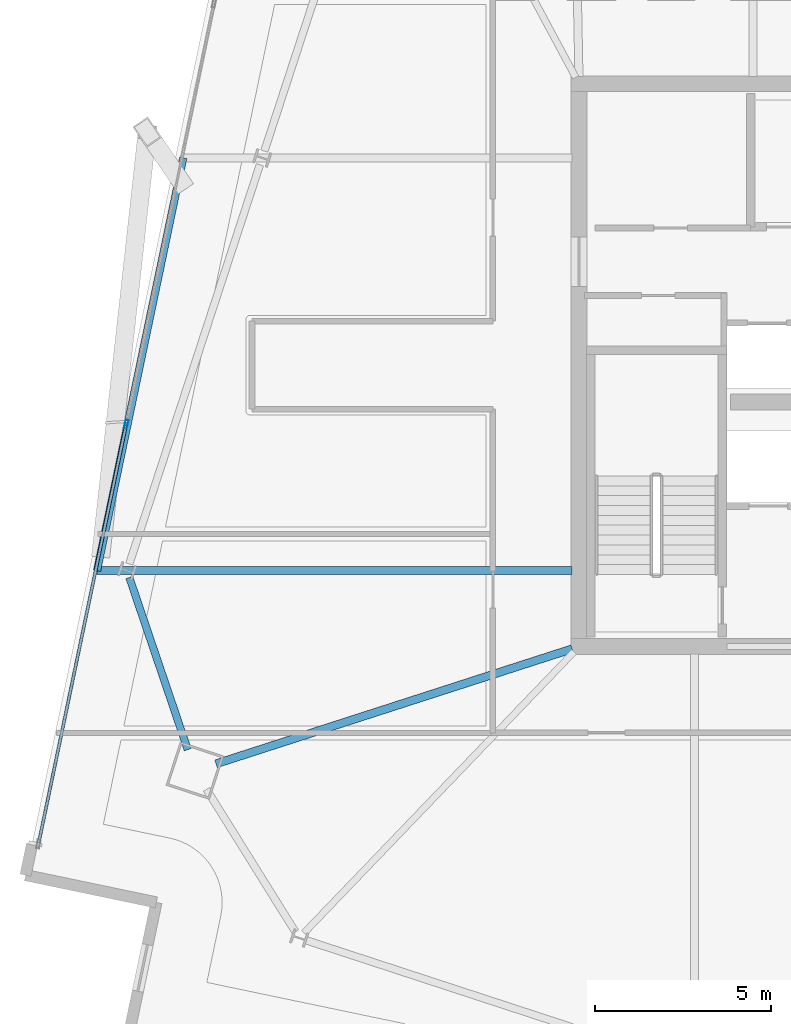
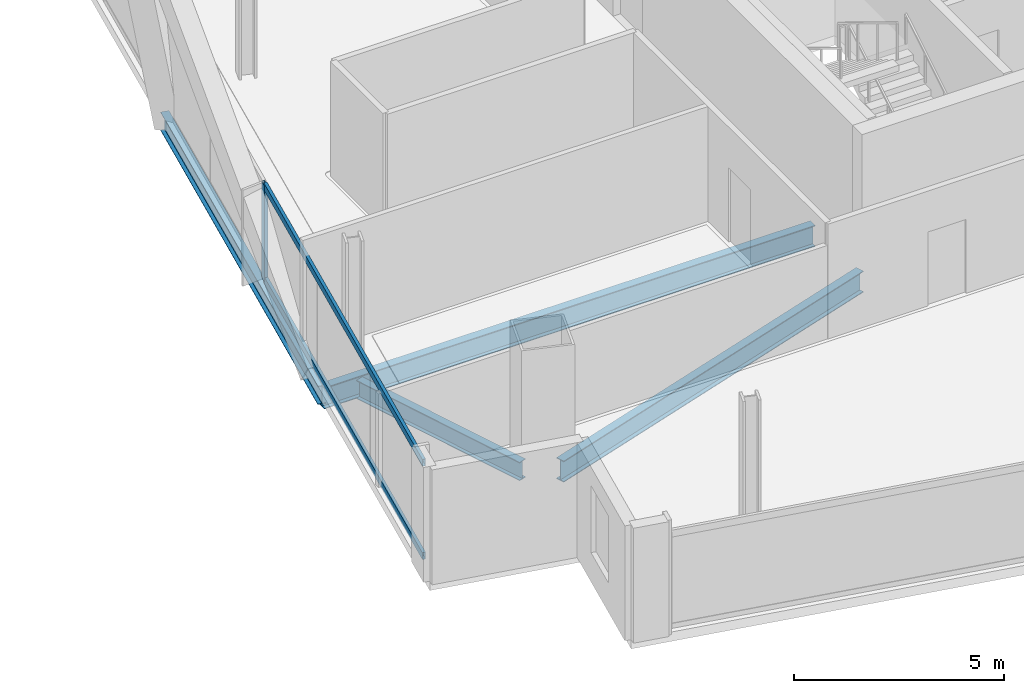
# One storey, part 4 of 24: 4 beams, 3 members, 1 element without a shape of its own.
"""IFC4 building model written with IfcOpenShell, lengths in metres."""

from ifc_helpers import new_model, si_unit, direction, frame, origin, origin_2d, place, context, subcontext, project, spatial, hollow_rectangle, i_section, extrude, material, material_profile, profile_set, type_object, element, aggregate, save


model = new_model("IFC4")

# Units and contexts
model_context = context("Model", 3, precision=1e-05, world=origin(), true_north=direction((0.0, 1.0)))
body_context = subcontext(model_context, "Body", "Model", "MODEL_VIEW")
ifc_project = project(units=[si_unit("LENGTHUNIT", "METRE"), si_unit("AREAUNIT", "SQUARE_METRE"), si_unit("VOLUMEUNIT", "CUBIC_METRE"), si_unit("PLANEANGLEUNIT", "RADIAN"), si_unit("MASSUNIT", "GRAM", prefix="KILO")], contexts=[model_context])

# Site, building, storey
site_placement = place(None, origin())
site = spatial("IfcSite", under=ifc_project, at=site_placement, CompositionType="ELEMENT")
building_placement = place(site_placement, origin())
building = spatial("IfcBuilding", under=site, at=building_placement, Name="Haldenkirk Collegiate Tower", CompositionType="ELEMENT")
storey_placement = place(building_placement, frame((0.0, 0.0, 289.949951171875)))
storey = spatial("IfcBuildingStorey", under=building, at=storey_placement, Name="L73", CompositionType="ELEMENT", Elevation=289.949951171875)

# Beams
ifc_material_1 = material(Name="Steel ASTM A992 Grade 50", Category="steel")
ifc_material_profile_1 = material_profile(ifc_material_1, i_section(OverallWidth=0.22998046875, OverallDepth=0.616943359375, WebThickness=0.01318359375, FlangeThickness=0.022216796875, at=origin_2d()), Name="W24X94")
ifc_profile_set_1 = profile_set([ifc_material_profile_1], Name="Steel ASTM A992 Grade 50")
beam_type_1 = type_object("IfcBeamType", Name="BM-GIRDER-W24X94", PredefinedType="BEAM", material=ifc_profile_set_1)
beam_1_placement = place(storey_placement, frame((16.677001953125, 14.66796875, -0.578369140625), z_axis=(0.95165454957, 0.307170340824, 0.0), x_axis=(-0.307170340824, 0.95165454957, 0.0)))
element("IfcBeam", 1, at=beam_1_placement, inside=storey, type_object=beam_type_1, Name="L73 primary floor girder 04", PredefinedType="BEAM", context=body_context, shape_type="SweptSolid", body=[
    extrude(i_section(OverallWidth=0.22998046875, OverallDepth=0.616943359375, WebThickness=0.01318359375, FlangeThickness=0.022216796875, at=origin_2d()), origin(), (0.0, 0.0, 1.0), 10.642333984375),
])
beam_2_placement = place(storey_placement, frame((13.29541015625, 20.157958984375, -0.578369140625), z_axis=(1.0, 0.0, 0.0), x_axis=(0.0, 1.0, 0.0)))
element("IfcBeam", 2, at=beam_2_placement, inside=storey, type_object=beam_type_1, Name="L73 primary floor girder 13", PredefinedType="BEAM", context=body_context, shape_type="SweptSolid", body=[
    extrude(i_section(OverallWidth=0.22998046875, OverallDepth=0.616943359375, WebThickness=0.01318359375, FlangeThickness=0.022216796875, at=origin_2d()), origin(), (0.0, 0.0, 1.0), 13.49951171875),
])
ifc_material_profile_2 = material_profile(ifc_material_1, i_section(OverallWidth=0.2099609375, OverallDepth=0.537109375, WebThickness=0.010986328125, FlangeThickness=0.017333984375, at=origin_2d()), Name="W21X68")
ifc_profile_set_2 = profile_set([ifc_material_profile_2], Name="Steel ASTM A992 Grade 50")
beam_type_2 = type_object("IfcBeamType", Name="BM-SPANDREL-W21X68", PredefinedType="SPANDREL", material=ifc_profile_set_2)
beam_3_placement = place(storey_placement, frame((14.214599609375, 19.96630859375, -0.538330078125), z_axis=(0.321210878439, -0.947007693513, 0.0), x_axis=(0.947007693513, 0.321210878439, 0.0)))
element("IfcBeam", 3, at=beam_3_placement, inside=storey, type_object=beam_type_2, Name="L73 perimeter spandrel beam 12", PredefinedType="SPANDREL", context=body_context, shape_type="SweptSolid", body=[
    extrude(i_section(OverallWidth=0.2099609375, OverallDepth=0.537109375, WebThickness=0.010986328125, FlangeThickness=0.017333984375, at=origin_2d()), origin(), (0.0, 0.0, 1.0), 5.169189453125),
])
beam_4_placement = place(storey_placement, frame((15.747314453125, 31.8935546875, -0.538330078125), z_axis=(-0.204512884945, -0.978863871992, 0.0), x_axis=(0.978863871992, -0.204512884945, 0.0)))
element("IfcBeam", 4, at=beam_4_placement, inside=storey, type_object=beam_type_2, Name="L73 outer facade edge beam 3", PredefinedType="SPANDREL", context=body_context, shape_type="SweptSolid", body=[
    extrude(i_section(OverallWidth=0.2099609375, OverallDepth=0.537109375, WebThickness=0.010986328125, FlangeThickness=0.017333984375, at=origin_2d()), origin(), (0.0, 0.0, 1.0), 11.989013671875),
])

# Curtain wall, members
ifc_material_2 = material(Name="Anodised architectural bronze aluminium", Category="aluminium")
curtain_wall_type = type_object("IfcCurtainWallType", Name="CW-SYS1B-CONVEX-HI", PredefinedType="USERDEFINED", material=ifc_material_2)
curtain_wall_placement = place(storey_placement, origin())
curtain_wall = element("IfcCurtainWall", 5, at=curtain_wall_placement, inside=storey, type_object=curtain_wall_type, Name="L73 Upper tower high-wind convex bronze unitised curtain wall", ObjectType="UNITISED CURTAIN WALL", PredefinedType="USERDEFINED")
ifc_material_profile_3 = material_profile(ifc_material_2, hollow_rectangle(XDim=0.0849609375, YDim=0.25, WallThickness=0.0048828125, at=origin_2d()), Name="CW-MUL-1B")
ifc_profile_set_3 = profile_set([ifc_material_profile_3], Name="Anodised architectural bronze aluminium")
member_type_1 = type_object("IfcMemberType", Name="CW-MUL-1B", PredefinedType="MULLION", material=ifc_profile_set_3)
member_1_placement = place(storey_placement, frame((14.12451171875, 24.3212890625, 0.0), z_axis=(0.0, 0.0, 1.0), x_axis=(-0.978866833362, 0.204498710371, 0.0)))
member_1 = element("IfcMember", 6, at=member_1_placement, type_object=member_type_1, Name="CW-1B mullion 2", PredefinedType="MULLION", context=body_context, shape_type="SweptSolid", body=[
    extrude(hollow_rectangle(XDim=0.0849609375, YDim=0.25, WallThickness=0.0048828125, at=origin_2d()), origin(), (0.0, 0.0, 1.0), 2.798095703125),
])
ifc_material_profile_4 = material_profile(ifc_material_2, hollow_rectangle(XDim=0.0849609375, YDim=0.199951171875, WallThickness=0.0048828125, at=origin_2d()), Name="CW-TRN-1B")
ifc_profile_set_4 = profile_set([ifc_material_profile_4], Name="Anodised architectural bronze aluminium")
member_type_2 = type_object("IfcMemberType", Name="CW-TRN-1B", PredefinedType="USERDEFINED", material=ifc_profile_set_4)
member_2_placement = place(storey_placement, frame((11.64013671875, 12.4296875, 0.04248046875), z_axis=(0.204493800549, 0.978867859079, 0.0), x_axis=(-0.978867859079, 0.204493800549, 0.0)))
member_2 = element("IfcMember", 7, at=member_2_placement, type_object=member_type_2, Name="CW-1B transom 1.1", ObjectType="TRANSOM", PredefinedType="USERDEFINED", context=body_context, shape_type="SweptSolid", body=[
    extrude(hollow_rectangle(XDim=0.0849609375, YDim=0.199951171875, WallThickness=0.0048828125, at=origin_2d()), origin(), (0.0, 0.0, 1.0), 12.10595703125),
])
member_3_placement = place(storey_placement, frame((11.64013671875, 12.4296875, 2.755615234375), z_axis=(0.204493800549, 0.978867859079, 0.0), x_axis=(-0.978867859079, 0.204493800549, 0.0)))
member_3 = element("IfcMember", 8, at=member_3_placement, type_object=member_type_2, Name="CW-1B transom 1.2", ObjectType="TRANSOM", PredefinedType="USERDEFINED", context=body_context, shape_type="SweptSolid", body=[
    extrude(hollow_rectangle(XDim=0.0849609375, YDim=0.199951171875, WallThickness=0.0048828125, at=origin_2d()), origin(), (0.0, 0.0, 1.0), 12.10595703125),
])
aggregate(curtain_wall, [member_1, member_2, member_3])

save(model, "model.ifc")
